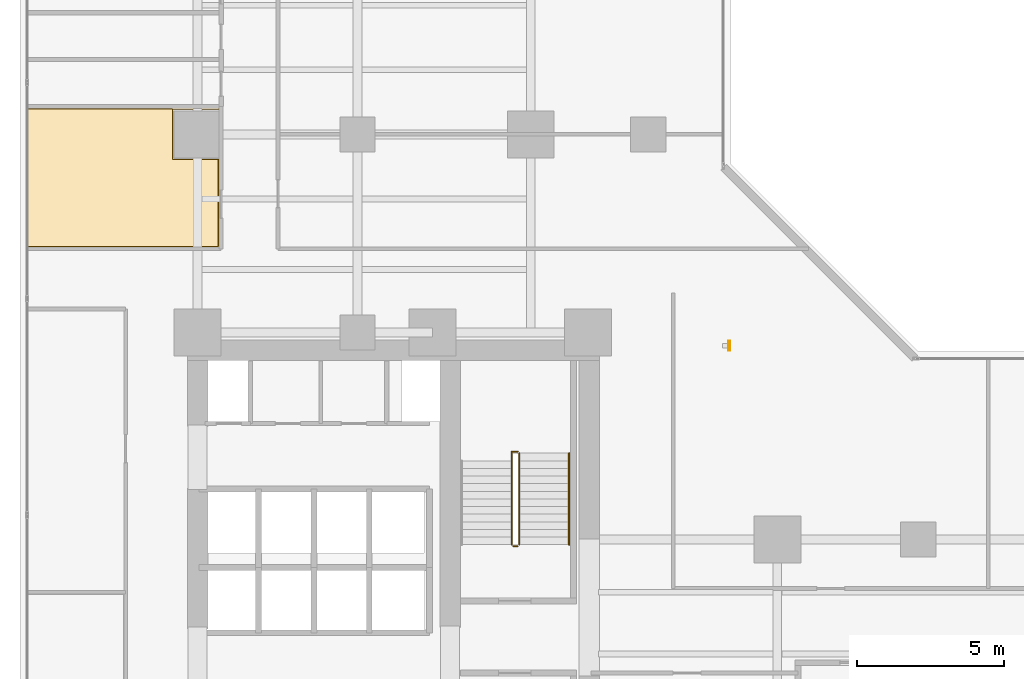
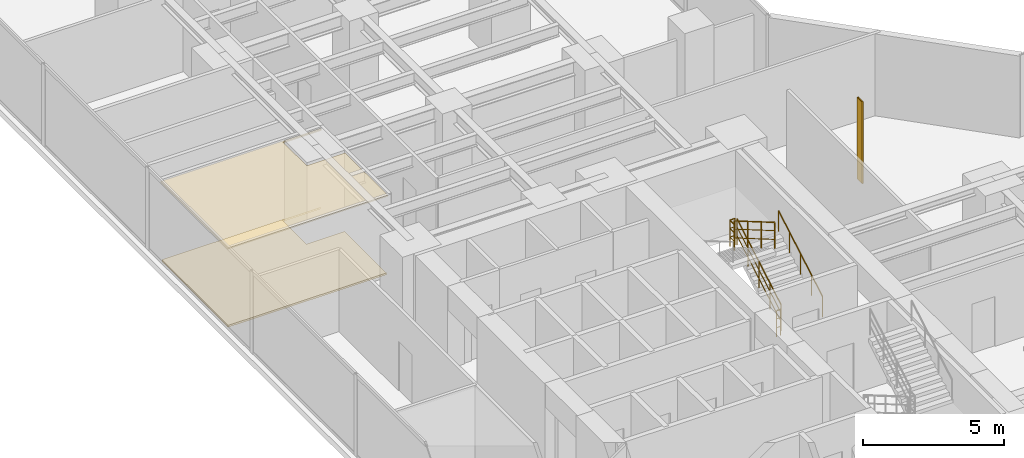
# One storey, part 28 of 30: 5 railings, 2 coverings, 1 shading device.
"""IFC4 building model written with IfcOpenShell, lengths in metres."""

from ifc_helpers import new_model, si_unit, direction, frame, origin, origin_2d, place, context, subcontext, project, spatial, polyline, hollow_rectangle, circle, outline, extrude, material, layer, layer_set, material_profile, profile_set, type_object, element, save


model = new_model("IFC4")

# Units and contexts
model_context = context("Model", 3, precision=1e-05, world=origin(), true_north=direction((0.0, 1.0)))
body_context = subcontext(model_context, "Body", "Model", "MODEL_VIEW")
ifc_project = project(units=[si_unit("LENGTHUNIT", "METRE"), si_unit("AREAUNIT", "SQUARE_METRE"), si_unit("VOLUMEUNIT", "CUBIC_METRE"), si_unit("PLANEANGLEUNIT", "RADIAN"), si_unit("MASSUNIT", "GRAM", prefix="KILO")], contexts=[model_context])

# Site, building, storey
site_placement = place(None, origin())
site = spatial("IfcSite", under=ifc_project, at=site_placement, CompositionType="ELEMENT")
building_placement = place(site_placement, origin())
building = spatial("IfcBuilding", under=site, at=building_placement, Name="Kolvaren Waterfront Exchange", CompositionType="ELEMENT")
storey_placement = place(building_placement, frame((0.0, 0.0, 71.39990234375)))
storey = spatial("IfcBuildingStorey", under=building, at=storey_placement, Name="L18", CompositionType="ELEMENT", Elevation=71.39990234375)

# Covering
ifc_material_1 = material(Name="Perforated bronze acoustic ceiling panel", Category="aluminium")
ifc_layer_1 = layer(ifc_material_1, 0.054931640625, Name="Perforated bronze acoustic ceiling panel")
ifc_layer_set_1 = layer_set([ifc_layer_1], Name="Perforated bronze acoustic ceiling panel")
covering_type_1 = type_object("IfcCoveringType", Name="ARC-CEIL-BAFFLE-55", PredefinedType="CEILING", material=ifc_layer_set_1)
covering_1_placement = place(storey_placement, frame((0.0, 0.0, 3.39501953125)))
element("IfcCovering", 1, at=covering_1_placement, inside=storey, type_object=covering_type_1, Name="L18 acoustic suspended ceiling 1", PredefinedType="CEILING", context=body_context, shape_type="SweptSolid", body=[
    extrude(outline(polyline([(8.18505859375, 30.360107421875), (6.610107421875, 30.360107421875), (6.610107421875, 32.0400390625), (8.18505859375, 32.0400390625), (8.18505859375, 32.10498046875), (1.64501953125, 32.10498046875), (1.64501953125, 27.344970703125), (8.18505859375, 27.344970703125), (8.18505859375, 30.360107421875)])), origin(), (0.0, 0.0, 1.0), 0.05517578125),
])

# Shading device
ifc_material_2 = material(Name="Anodised bronze aluminium 6063-T6", Category="aluminium")
ifc_material_profile = material_profile(ifc_material_2, hollow_rectangle(XDim=0.06005859375, YDim=0.35009765625, WallThickness=0.0048828125, at=origin_2d()), Name="BRZ-FIN-350x60x5")
ifc_profile_set = profile_set([ifc_material_profile], Name="Anodised bronze aluminium 6063-T6")
shading_device_type = type_object("IfcShadingDeviceType", Name="ARC-FIN-350", PredefinedType="USERDEFINED", material=ifc_profile_set)
shading_device_placement = place(storey_placement, frame((25.56005859375, 24.0, 0.0), z_axis=(0.0, 0.0, 1.0), x_axis=(1.0, 0.0, 0.0)))
element("IfcShadingDevice", 2, at=shading_device_placement, inside=storey, type_object=shading_device_type, Name="L18 anodised bronze solar shading fin FIN-L18-E2", ObjectType="SOLAR FIN", PredefinedType="USERDEFINED", context=body_context, shape_type="SweptSolid", body=[
    extrude(hollow_rectangle(XDim=0.06005859375, YDim=0.35009765625, WallThickness=0.0048828125, at=origin_2d()), origin(), (0.0, 0.0, 1.0), 3.5400390625),
])

# Covering
ifc_material_3 = material(Name="Raised access steel-cementitious floor panel", Category="steel")
ifc_layer_2 = layer(ifc_material_3, 0.080078125, Name="Raised access steel-cementitious floor panel")
ifc_layer_set_2 = layer_set([ifc_layer_2], Name="Raised access steel-cementitious floor panel")
covering_type_2 = type_object("IfcCoveringType", Name="ARC-FLR-RAISED-80", PredefinedType="FLOORING", material=ifc_layer_set_2)
covering_2_placement = place(storey_placement, origin())
element("IfcCovering", 3, at=covering_2_placement, inside=storey, type_object=covering_type_2, Name="L18 floor finish 1", PredefinedType="FLOORING", context=body_context, shape_type="SweptSolid", body=[
    extrude(outline(polyline([(1.679931640625, 32.070068359375), (1.679931640625, 27.3798828125), (8.14990234375, 27.3798828125), (8.14990234375, 30.340087890625), (6.590087890625, 30.340087890625), (6.590087890625, 32.06005859375), (8.14990234375, 32.06005859375), (8.14990234375, 32.070068359375), (1.679931640625, 32.070068359375)])), origin(), (0.0, 0.0, 1.0), 0.080078125),
])

# Railings
ifc_material_4 = material(Name="Stainless steel 316", Category="steel")
railing_type_1 = type_object("IfcRailingType", Name="ARC-GUARD-STAIR", PredefinedType="GUARDRAIL", material=ifc_material_4)
railing_1_placement = place(storey_placement, frame((18.409912109375, 17.219970703125, 0.152099609375)))
element("IfcRailing", 4, at=railing_1_placement, inside=storey, type_object=railing_type_1, Name="L18 ST2 stair guard 1", PredefinedType="GUARDRAIL", context=body_context, shape_type="SweptSolid", body=[
    extrude(circle(Radius=0.02392578125, at=origin_2d()), frame((0.0, 0.0, 1.1259765625), z_axis=(0.0, 0.86330811405, 0.504677223793), x_axis=(-1.0, 0.0, 0.0)), (0.0, 0.0, 1.0), 3.6142578125),
    extrude(circle(Radius=0.01611328125, at=origin_2d()), frame((0.0, 0.0, 0.390869140625), z_axis=(0.0, 0.86330811405, 0.504677223793), x_axis=(-1.0, 0.0, 0.0)), (0.0, 0.0, 1.0), 3.6142578125),
    extrude(circle(Radius=0.01611328125, at=origin_2d()), frame((0.0, 0.0, 0.7705078125), z_axis=(0.0, 0.86330811405, 0.504677223793), x_axis=(-1.0, 0.0, 0.0)), (0.0, 0.0, 1.0), 3.6142578125),
    extrude(circle(Radius=0.02099609375, at=origin_2d()), origin(), (0.0, 0.0, 1.0), 1.101806640625),
    extrude(circle(Radius=0.02099609375, at=origin_2d()), frame((0.0, 0.780029296875, 0.4560546875)), (0.0, 0.0, 1.0), 1.101806640625),
    extrude(circle(Radius=0.02099609375, at=origin_2d()), frame((0.0, 1.56005859375, 0.912109375)), (0.0, 0.0, 1.0), 1.101806640625),
    extrude(circle(Radius=0.02099609375, at=origin_2d()), frame((0.0, 2.340087890625, 1.367919921875)), (0.0, 0.0, 1.0), 1.101806640625),
    extrude(circle(Radius=0.02099609375, at=origin_2d()), frame((0.0, 3.1201171875, 1.823974609375)), (0.0, 0.0, 1.0), 1.101806640625),
])
railing_2_placement = place(storey_placement, frame((18.360107421875, 20.389892578125, 1.97607421875)))
element("IfcRailing", 5, at=railing_2_placement, inside=storey, type_object=railing_type_1, Name="L18 ST2 stair guard 2", PredefinedType="GUARDRAIL", context=body_context, shape_type="SweptSolid", body=[
    extrude(circle(Radius=0.02392578125, at=origin_2d()), frame((0.0, 0.0, 1.1259765625), z_axis=(-1.0, 0.0, 0.0), x_axis=(0.0, -1.0, 0.0)), (0.0, 0.0, 1.0), 0.210205078125),
    extrude(circle(Radius=0.01611328125, at=origin_2d()), frame((0.0, 0.0, 0.390869140625), z_axis=(-1.0, 0.0, 0.0), x_axis=(0.0, -1.0, 0.0)), (0.0, 0.0, 1.0), 0.210205078125),
    extrude(circle(Radius=0.01611328125, at=origin_2d()), frame((0.0, 0.0, 0.7705078125), z_axis=(-1.0, 0.0, 0.0), x_axis=(0.0, -1.0, 0.0)), (0.0, 0.0, 1.0), 0.210205078125),
    extrude(circle(Radius=0.02392578125, at=origin_2d()), frame((-0.210205078125, 0.0, 1.1259765625), z_axis=(0.0, -1.0, 0.0), x_axis=(1.0, 0.0, 0.0)), (0.0, 0.0, 1.0), 0.309814453125),
    extrude(circle(Radius=0.01611328125, at=origin_2d()), frame((-0.210205078125, 0.0, 0.390869140625), z_axis=(0.0, -1.0, 0.0), x_axis=(1.0, 0.0, 0.0)), (0.0, 0.0, 1.0), 0.309814453125),
    extrude(circle(Radius=0.01611328125, at=origin_2d()), frame((-0.210205078125, 0.0, 0.7705078125), z_axis=(0.0, -1.0, 0.0), x_axis=(1.0, 0.0, 0.0)), (0.0, 0.0, 1.0), 0.309814453125),
    extrude(circle(Radius=0.02099609375, at=origin_2d()), origin(), (0.0, 0.0, 1.0), 1.101806640625),
    extrude(circle(Radius=0.02099609375, at=origin_2d()), frame((-0.210205078125, 0.0, 0.0)), (0.0, 0.0, 1.0), 1.101806640625),
    extrude(circle(Radius=0.02099609375, at=origin_2d()), frame((-0.210205078125, -0.309814453125, 0.0)), (0.0, 0.0, 1.0), 1.101806640625),
])
railing_3_placement = place(storey_placement, frame((18.14990234375, 20.080078125, 2.128173828125)))
element("IfcRailing", 6, at=railing_3_placement, inside=storey, type_object=railing_type_1, Name="L18 ST2 stair guard 3", PredefinedType="GUARDRAIL", context=body_context, shape_type="SweptSolid", body=[
    extrude(circle(Radius=0.02392578125, at=origin_2d()), frame((0.0, 0.0, 1.1259765625), z_axis=(0.0, -0.863321491973, 0.504654338629), x_axis=(1.0, 0.0, 0.0)), (0.0, 0.0, 1.0), 3.31298828125),
    extrude(circle(Radius=0.01611328125, at=origin_2d()), frame((0.0, 0.0, 0.390869140625), z_axis=(0.0, -0.863321491973, 0.504654338629), x_axis=(1.0, 0.0, 0.0)), (0.0, 0.0, 1.0), 3.31298828125),
    extrude(circle(Radius=0.01611328125, at=origin_2d()), frame((0.0, 0.0, 0.7705078125), z_axis=(0.0, -0.863321491973, 0.504654338629), x_axis=(1.0, 0.0, 0.0)), (0.0, 0.0, 1.0), 3.31298828125),
    extrude(circle(Radius=0.02099609375, at=origin_2d()), origin(), (0.0, 0.0, 1.0), 1.101806640625),
    extrude(circle(Radius=0.02099609375, at=origin_2d()), frame((0.0, -0.953369140625, 0.557373046875)), (0.0, 0.0, 1.0), 1.101806640625),
    extrude(circle(Radius=0.02099609375, at=origin_2d()), frame((0.0, -1.90673828125, 1.114501953125)), (0.0, 0.0, 1.0), 1.101806640625),
    extrude(circle(Radius=0.02099609375, at=origin_2d()), frame((0.0, -2.860107421875, 1.671875)), (0.0, 0.0, 1.0), 1.101806640625),
])
railing_4_placement = place(storey_placement, frame((18.360107421875, 17.169921875, 0.0)))
element("IfcRailing", 7, at=railing_4_placement, inside=storey, type_object=railing_type_1, Name="L18 ST2 stair guard 4", PredefinedType="GUARDRAIL", context=body_context, shape_type="SweptSolid", body=[
    extrude(circle(Radius=0.02392578125, at=origin_2d()), frame((0.0, 0.0, 1.1259765625), z_axis=(-1.0, 0.0, 0.0), x_axis=(0.0, -1.0, 0.0)), (0.0, 0.0, 1.0), 0.16015625),
    extrude(circle(Radius=0.01611328125, at=origin_2d()), frame((0.0, 0.0, 0.390869140625), z_axis=(-1.0, 0.0, 0.0), x_axis=(0.0, -1.0, 0.0)), (0.0, 0.0, 1.0), 0.16015625),
    extrude(circle(Radius=0.01611328125, at=origin_2d()), frame((0.0, 0.0, 0.7705078125), z_axis=(-1.0, 0.0, 0.0), x_axis=(0.0, -1.0, 0.0)), (0.0, 0.0, 1.0), 0.16015625),
    extrude(circle(Radius=0.02099609375, at=origin_2d()), origin(), (0.0, 0.0, 1.0), 1.101806640625),
    extrude(circle(Radius=0.02099609375, at=origin_2d()), frame((-0.16015625, 0.0, 0.0)), (0.0, 0.0, 1.0), 1.101806640625),
])
railing_type_2 = type_object("IfcRailingType", Name="ARC-HANDRAIL-900", PredefinedType="HANDRAIL", material=ifc_material_4)
railing_5_placement = place(storey_placement, frame((20.110107421875, 17.219970703125, 0.152099609375)))
element("IfcRailing", 8, at=railing_5_placement, inside=storey, type_object=railing_type_2, Name="L18 ST2 stair handrail 1", PredefinedType="HANDRAIL", context=body_context, shape_type="SweptSolid", body=[
    extrude(circle(Radius=0.02392578125, at=origin_2d()), frame((0.0, 0.0, 0.8759765625), z_axis=(0.0, 0.86330811405, 0.504677223793), x_axis=(-1.0, 0.0, 0.0)), (0.0, 0.0, 1.0), 3.6142578125),
    extrude(circle(Radius=0.02099609375, at=origin_2d()), origin(), (0.0, 0.0, 1.0), 0.851806640625),
    extrude(circle(Radius=0.02099609375, at=origin_2d()), frame((0.0, 0.780029296875, 0.4560546875)), (0.0, 0.0, 1.0), 0.851806640625),
    extrude(circle(Radius=0.02099609375, at=origin_2d()), frame((0.0, 1.56005859375, 0.912109375)), (0.0, 0.0, 1.0), 0.851806640625),
    extrude(circle(Radius=0.02099609375, at=origin_2d()), frame((0.0, 2.340087890625, 1.367919921875)), (0.0, 0.0, 1.0), 0.851806640625),
    extrude(circle(Radius=0.02099609375, at=origin_2d()), frame((0.0, 3.1201171875, 1.823974609375)), (0.0, 0.0, 1.0), 0.851806640625),
])

save(model, "model.ifc")
